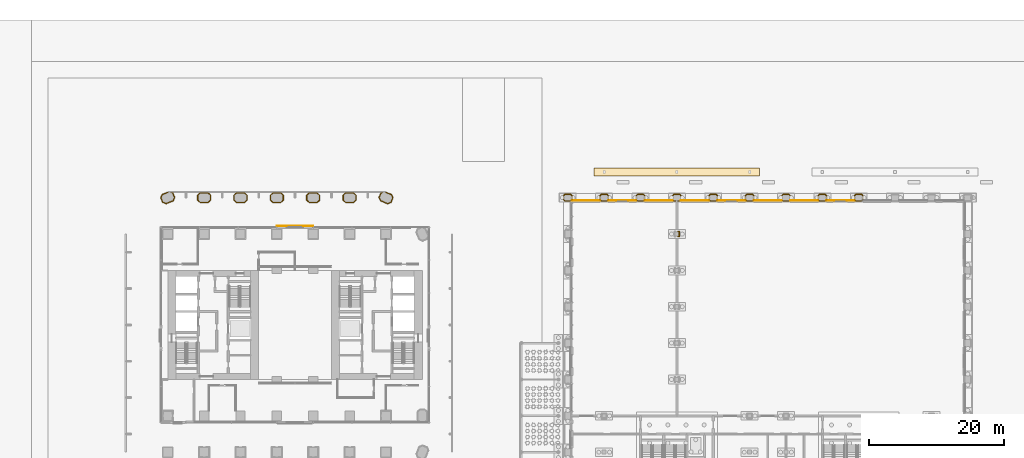
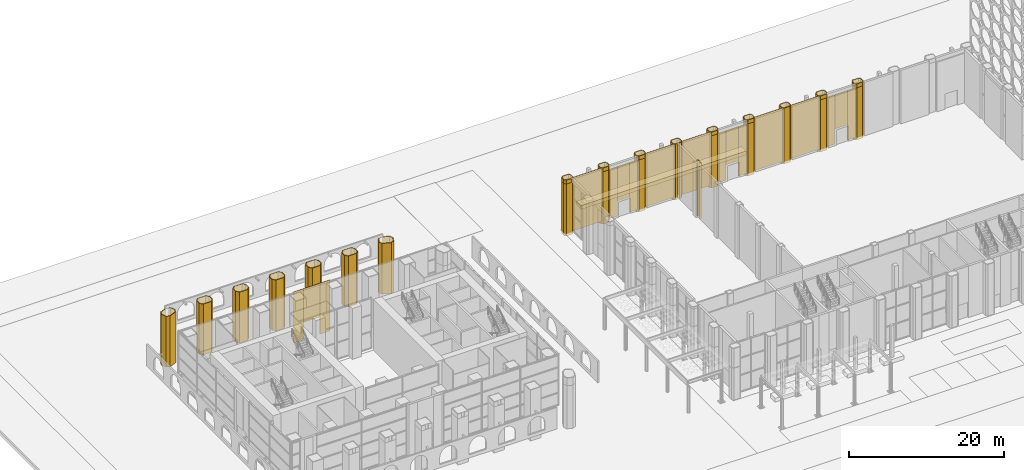
# One storey, part 50 of 54: 42 coverings.
"""IFC4 building model written with IfcOpenShell, lengths in metres."""

from ifc_helpers import new_model, si_unit, direction, frame, frame_2d, origin, origin_2d, place, context, subcontext, project, spatial, polyline, rectangle, outline, extrude, material, layer, layer_set, type_object, element, save


model = new_model("IFC4")

# Units and contexts
model_context = context("Model", 3, precision=1e-05, world=origin(), true_north=direction((0.0, 1.0)))
body_context = subcontext(model_context, "Body", "Model", "MODEL_VIEW")
ifc_project = project(units=[si_unit("LENGTHUNIT", "METRE"), si_unit("AREAUNIT", "SQUARE_METRE"), si_unit("VOLUMEUNIT", "CUBIC_METRE"), si_unit("PLANEANGLEUNIT", "RADIAN"), si_unit("MASSUNIT", "GRAM", prefix="KILO")], contexts=[model_context])

# Site, building, storey
site_placement = place(None, origin())
site = spatial("IfcSite", under=ifc_project, at=site_placement, CompositionType="ELEMENT")
building_placement = place(site_placement, origin())
building = spatial("IfcBuilding", under=site, at=building_placement, Name="Tabaq Tower and Sports Hall", CompositionType="ELEMENT")
storey_placement = place(building_placement, origin())
storey = spatial("IfcBuildingStorey", under=building, at=storey_placement, Name="L00", CompositionType="ELEMENT", Elevation=0.0)

# Coverings
ifc_material_1 = material(Name="Precast concrete C60/75", Category="concrete")
ifc_layer_1 = layer(ifc_material_1, 0.10009765625)
ifc_layer_set_1 = layer_set([ifc_layer_1], Name="Column cladding 100")
covering_type_1 = type_object("IfcCoveringType", Name="Column cladding 100", PredefinedType="CLADDING", material=ifc_layer_set_1)
covering_1_placement = place(storey_placement, frame((0.0, 0.0, -0.39990234375)))
element("IfcCovering", 1, at=covering_1_placement, inside=storey, type_object=covering_type_1, Name="Column cladding L00 HC-13I", PredefinedType="CLADDING", context=body_context, shape_type="SweptSolid", body=[
    extrude(outline(polyline([(64.100341796875, 42.90869140625), (64.100341796875, 43.4912109375), (64.358642578125, 43.749755859375), (65.2412109375, 43.749755859375), (65.499755859375, 43.4912109375), (65.499755859375, 42.90869140625), (65.2412109375, 42.650390625), (64.358642578125, 42.650390625), (64.100341796875, 42.90869140625)]), holes=[polyline([(65.2001953125, 42.749755859375), (65.400390625, 42.949951171875), (65.400390625, 43.4501953125), (65.2001953125, 43.650390625), (64.39990234375, 43.650390625), (64.19970703125, 43.4501953125), (64.19970703125, 42.949951171875), (64.39990234375, 42.749755859375), (65.2001953125, 42.749755859375)])]), origin(), (0.0, 0.0, 1.0), 8.199951171875),
])
covering_2_placement = place(storey_placement, frame((0.0, 0.0, 7.800048828125)))
element("IfcCovering", 2, at=covering_2_placement, inside=storey, type_object=covering_type_1, Name="Column cladding L00 HC-13I head", PredefinedType="CLADDING", context=body_context, shape_type="SweptSolid", body=[
    extrude(outline(polyline([(64.100341796875, 43.4912109375), (64.358642578125, 43.749755859375), (65.2412109375, 43.749755859375), (65.499755859375, 43.4912109375), (65.499755859375, 42.90869140625), (65.391357421875, 42.80029296875), (65.250732421875, 42.80029296875), (65.400390625, 42.949951171875), (65.400390625, 43.4501953125), (65.2001953125, 43.650390625), (64.39990234375, 43.650390625), (64.19970703125, 43.4501953125), (64.19970703125, 42.949951171875), (64.39990234375, 42.749755859375), (65.099609375, 42.749755859375), (65.099609375, 42.650390625), (64.358642578125, 42.650390625), (64.100341796875, 42.90869140625), (64.100341796875, 43.4912109375)])), origin(), (0.0, 0.0, 1.0), 0.599853515625),
])
covering_3_placement = place(storey_placement, frame((0.0, 0.0, -0.39990234375)))
element("IfcCovering", 3, at=covering_3_placement, inside=storey, type_object=covering_type_1, Name="Column cladding L00 HC-14I", PredefinedType="CLADDING", context=body_context, shape_type="SweptSolid", body=[
    extrude(outline(polyline([(69.500244140625, 42.90869140625), (69.500244140625, 43.4912109375), (69.7587890625, 43.749755859375), (70.641357421875, 43.749755859375), (70.899658203125, 43.4912109375), (70.899658203125, 42.90869140625), (70.641357421875, 42.650390625), (69.7587890625, 42.650390625), (69.500244140625, 42.90869140625)]), holes=[polyline([(70.60009765625, 42.749755859375), (70.80029296875, 42.949951171875), (70.80029296875, 43.4501953125), (70.60009765625, 43.650390625), (69.7998046875, 43.650390625), (69.599609375, 43.4501953125), (69.599609375, 42.949951171875), (69.7998046875, 42.749755859375), (70.60009765625, 42.749755859375)])]), origin(), (0.0, 0.0, 1.0), 8.199951171875),
])
covering_4_placement = place(storey_placement, frame((0.0, 0.0, 7.800048828125)))
element("IfcCovering", 4, at=covering_4_placement, inside=storey, type_object=covering_type_1, Name="Column cladding L00 HC-14I head", PredefinedType="CLADDING", context=body_context, shape_type="SweptSolid", body=[
    extrude(outline(polyline([(69.500244140625, 43.4912109375), (69.7587890625, 43.749755859375), (70.641357421875, 43.749755859375), (70.899658203125, 43.4912109375), (70.899658203125, 42.90869140625), (70.891357421875, 42.900390625), (70.750732421875, 42.900390625), (70.80029296875, 42.949951171875), (70.80029296875, 43.4501953125), (70.60009765625, 43.650390625), (69.7998046875, 43.650390625), (69.599609375, 43.4501953125), (69.599609375, 42.949951171875), (69.7998046875, 42.749755859375), (70.60009765625, 42.749755859375), (70.749755859375, 42.899169921875), (70.749755859375, 42.7587890625), (70.641357421875, 42.650390625), (69.7587890625, 42.650390625), (69.500244140625, 42.90869140625), (69.500244140625, 43.4912109375)])), origin(), (0.0, 0.0, 1.0), 0.599853515625),
])
covering_5_placement = place(storey_placement, frame((0.0, 0.0, -0.39990234375)))
element("IfcCovering", 5, at=covering_5_placement, inside=storey, type_object=covering_type_1, Name="Column cladding L00 HC-15I", PredefinedType="CLADDING", context=body_context, shape_type="SweptSolid", body=[
    extrude(outline(polyline([(74.900390625, 42.90869140625), (74.900390625, 43.4912109375), (75.15869140625, 43.749755859375), (76.041259765625, 43.749755859375), (76.2998046875, 43.4912109375), (76.2998046875, 42.90869140625), (76.041259765625, 42.650390625), (75.15869140625, 42.650390625), (74.900390625, 42.90869140625)]), holes=[polyline([(76.000244140625, 42.749755859375), (76.2001953125, 42.949951171875), (76.2001953125, 43.4501953125), (76.000244140625, 43.650390625), (75.199951171875, 43.650390625), (74.999755859375, 43.4501953125), (74.999755859375, 42.949951171875), (75.199951171875, 42.749755859375), (76.000244140625, 42.749755859375)])]), origin(), (0.0, 0.0, 1.0), 8.199951171875),
])
covering_6_placement = place(storey_placement, frame((0.0, 0.0, 7.800048828125)))
element("IfcCovering", 6, at=covering_6_placement, inside=storey, type_object=covering_type_1, Name="Column cladding L00 HC-15I head", PredefinedType="CLADDING", context=body_context, shape_type="SweptSolid", body=[
    extrude(outline(polyline([(74.900390625, 43.4912109375), (75.15869140625, 43.749755859375), (76.041259765625, 43.749755859375), (76.2998046875, 43.4912109375), (76.2998046875, 42.90869140625), (76.041259765625, 42.650390625), (75.15869140625, 42.650390625), (75.05029296875, 42.7587890625), (75.05029296875, 42.899169921875), (75.199951171875, 42.749755859375), (76.000244140625, 42.749755859375), (76.2001953125, 42.949951171875), (76.2001953125, 43.4501953125), (76.000244140625, 43.650390625), (75.199951171875, 43.650390625), (74.999755859375, 43.4501953125), (74.999755859375, 42.949951171875), (75.04931640625, 42.900390625), (74.90869140625, 42.900390625), (74.900390625, 42.90869140625), (74.900390625, 43.4912109375)])), origin(), (0.0, 0.0, 1.0), 0.599853515625),
])
covering_7_placement = place(storey_placement, frame((0.0, 0.0, -0.39990234375)))
element("IfcCovering", 7, at=covering_7_placement, inside=storey, type_object=covering_type_1, Name="Column cladding L00 HC-16H 2", PredefinedType="CLADDING", context=body_context, shape_type="SweptSolid", body=[
    extrude(outline(polyline([(81.399658203125, 38.19970703125), (81.399658203125, 37.400390625), (81.150390625, 37.400390625), (81.150390625, 37.499755859375), (81.30029296875, 37.499755859375), (81.30029296875, 38.100341796875), (81.150390625, 38.100341796875), (81.150390625, 38.19970703125), (81.399658203125, 38.19970703125)])), origin(), (0.0, 0.0, 1.0), 8.7998046875),
])
covering_8_placement = place(storey_placement, frame((0.0, 0.0, -0.39990234375)))
element("IfcCovering", 8, at=covering_8_placement, inside=storey, type_object=covering_type_1, Name="Column cladding L00 HC-16I", PredefinedType="CLADDING", context=body_context, shape_type="SweptSolid", body=[
    extrude(outline(polyline([(80.30029296875, 43.4912109375), (80.55859375, 43.749755859375), (81.44140625, 43.749755859375), (81.69970703125, 43.4912109375), (81.69970703125, 42.90869140625), (81.44140625, 42.650390625), (81.150390625, 42.650390625), (81.150390625, 42.749755859375), (81.400146484375, 42.749755859375), (81.600341796875, 42.949951171875), (81.600341796875, 43.4501953125), (81.400146484375, 43.650390625), (80.599853515625, 43.650390625), (80.399658203125, 43.4501953125), (80.399658203125, 42.949951171875), (80.599853515625, 42.749755859375), (80.849609375, 42.749755859375), (80.849609375, 42.650390625), (80.55859375, 42.650390625), (80.30029296875, 42.90869140625), (80.30029296875, 43.4912109375)])), origin(), (0.0, 0.0, 1.0), 8.7998046875),
])
covering_9_placement = place(storey_placement, frame((0.0, 0.0, -0.39990234375)))
element("IfcCovering", 9, at=covering_9_placement, inside=storey, type_object=covering_type_1, Name="Column cladding L00 HC-17I", PredefinedType="CLADDING", context=body_context, shape_type="SweptSolid", body=[
    extrude(outline(polyline([(85.7001953125, 42.90869140625), (85.7001953125, 43.4912109375), (85.958740234375, 43.749755859375), (86.84130859375, 43.749755859375), (87.099609375, 43.4912109375), (87.099609375, 42.90869140625), (86.84130859375, 42.650390625), (85.958740234375, 42.650390625), (85.7001953125, 42.90869140625)]), holes=[polyline([(86.800048828125, 42.749755859375), (87.000244140625, 42.949951171875), (87.000244140625, 43.4501953125), (86.800048828125, 43.650390625), (85.999755859375, 43.650390625), (85.7998046875, 43.4501953125), (85.7998046875, 42.949951171875), (85.999755859375, 42.749755859375), (86.800048828125, 42.749755859375)])]), origin(), (0.0, 0.0, 1.0), 8.199951171875),
])
covering_10_placement = place(storey_placement, frame((0.0, 0.0, 7.800048828125)))
element("IfcCovering", 10, at=covering_10_placement, inside=storey, type_object=covering_type_1, Name="Column cladding L00 HC-17I head", PredefinedType="CLADDING", context=body_context, shape_type="SweptSolid", body=[
    extrude(outline(polyline([(85.7001953125, 43.4912109375), (85.958740234375, 43.749755859375), (86.84130859375, 43.749755859375), (87.099609375, 43.4912109375), (87.099609375, 42.90869140625), (87.09130859375, 42.900390625), (86.95068359375, 42.900390625), (87.000244140625, 42.949951171875), (87.000244140625, 43.4501953125), (86.800048828125, 43.650390625), (85.999755859375, 43.650390625), (85.7998046875, 43.4501953125), (85.7998046875, 42.949951171875), (85.999755859375, 42.749755859375), (86.800048828125, 42.749755859375), (86.94970703125, 42.899169921875), (86.94970703125, 42.7587890625), (86.84130859375, 42.650390625), (85.958740234375, 42.650390625), (85.7001953125, 42.90869140625), (85.7001953125, 43.4912109375)])), origin(), (0.0, 0.0, 1.0), 0.599853515625),
])
covering_11_placement = place(storey_placement, frame((0.0, 0.0, -0.39990234375)))
element("IfcCovering", 11, at=covering_11_placement, inside=storey, type_object=covering_type_1, Name="Column cladding L00 HC-18I", PredefinedType="CLADDING", context=body_context, shape_type="SweptSolid", body=[
    extrude(outline(polyline([(91.100341796875, 42.90869140625), (91.100341796875, 43.4912109375), (91.358642578125, 43.749755859375), (92.2412109375, 43.749755859375), (92.499755859375, 43.4912109375), (92.499755859375, 42.90869140625), (92.2412109375, 42.650390625), (91.358642578125, 42.650390625), (91.100341796875, 42.90869140625)]), holes=[polyline([(92.2001953125, 42.749755859375), (92.400390625, 42.949951171875), (92.400390625, 43.4501953125), (92.2001953125, 43.650390625), (91.39990234375, 43.650390625), (91.19970703125, 43.4501953125), (91.19970703125, 42.949951171875), (91.39990234375, 42.749755859375), (92.2001953125, 42.749755859375)])]), origin(), (0.0, 0.0, 1.0), 8.199951171875),
])
covering_12_placement = place(storey_placement, frame((0.0, 0.0, 7.800048828125)))
element("IfcCovering", 12, at=covering_12_placement, inside=storey, type_object=covering_type_1, Name="Column cladding L00 HC-18I head", PredefinedType="CLADDING", context=body_context, shape_type="SweptSolid", body=[
    extrude(outline(polyline([(91.100341796875, 43.4912109375), (91.358642578125, 43.749755859375), (92.2412109375, 43.749755859375), (92.499755859375, 43.4912109375), (92.499755859375, 42.90869140625), (92.2412109375, 42.650390625), (91.358642578125, 42.650390625), (91.250244140625, 42.7587890625), (91.250244140625, 42.899169921875), (91.39990234375, 42.749755859375), (92.2001953125, 42.749755859375), (92.400390625, 42.949951171875), (92.400390625, 43.4501953125), (92.2001953125, 43.650390625), (91.39990234375, 43.650390625), (91.19970703125, 43.4501953125), (91.19970703125, 42.949951171875), (91.249267578125, 42.900390625), (91.108642578125, 42.900390625), (91.100341796875, 42.90869140625), (91.100341796875, 43.4912109375)])), origin(), (0.0, 0.0, 1.0), 0.599853515625),
])
covering_13_placement = place(storey_placement, frame((0.0, 0.0, -0.39990234375)))
element("IfcCovering", 13, at=covering_13_placement, inside=storey, type_object=covering_type_1, Name="Column cladding L00 HC-19I", PredefinedType="CLADDING", context=body_context, shape_type="SweptSolid", body=[
    extrude(outline(polyline([(96.500244140625, 42.90869140625), (96.500244140625, 43.4912109375), (96.7587890625, 43.749755859375), (97.641357421875, 43.749755859375), (97.899658203125, 43.4912109375), (97.899658203125, 42.90869140625), (97.641357421875, 42.650390625), (96.7587890625, 42.650390625), (96.500244140625, 42.90869140625)]), holes=[polyline([(97.60009765625, 42.749755859375), (97.80029296875, 42.949951171875), (97.80029296875, 43.4501953125), (97.60009765625, 43.650390625), (96.7998046875, 43.650390625), (96.599609375, 43.4501953125), (96.599609375, 42.949951171875), (96.7998046875, 42.749755859375), (97.60009765625, 42.749755859375)])]), origin(), (0.0, 0.0, 1.0), 8.7998046875),
])
covering_14_placement = place(storey_placement, frame((0.0, 0.0, -0.39990234375)))
element("IfcCovering", 14, at=covering_14_placement, inside=storey, type_object=covering_type_1, Name="Column cladding L00 HC-20I", PredefinedType="CLADDING", context=body_context, shape_type="SweptSolid", body=[
    extrude(outline(polyline([(101.900390625, 42.90869140625), (101.900390625, 43.4912109375), (102.15869140625, 43.749755859375), (103.041259765625, 43.749755859375), (103.2998046875, 43.4912109375), (103.2998046875, 42.90869140625), (103.041259765625, 42.650390625), (102.15869140625, 42.650390625), (101.900390625, 42.90869140625)]), holes=[polyline([(103.000244140625, 42.749755859375), (103.2001953125, 42.949951171875), (103.2001953125, 43.4501953125), (103.000244140625, 43.650390625), (102.199951171875, 43.650390625), (101.999755859375, 43.4501953125), (101.999755859375, 42.949951171875), (102.199951171875, 42.749755859375), (103.000244140625, 42.749755859375)])]), origin(), (0.0, 0.0, 1.0), 8.199951171875),
])
covering_15_placement = place(storey_placement, frame((0.0, 0.0, 7.800048828125)))
element("IfcCovering", 15, at=covering_15_placement, inside=storey, type_object=covering_type_1, Name="Column cladding L00 HC-20I head", PredefinedType="CLADDING", context=body_context, shape_type="SweptSolid", body=[
    extrude(outline(polyline([(101.900390625, 43.4912109375), (102.15869140625, 43.749755859375), (103.041259765625, 43.749755859375), (103.2998046875, 43.4912109375), (103.2998046875, 42.90869140625), (103.291259765625, 42.900390625), (103.150634765625, 42.900390625), (103.2001953125, 42.949951171875), (103.2001953125, 43.4501953125), (103.000244140625, 43.650390625), (102.199951171875, 43.650390625), (101.999755859375, 43.4501953125), (101.999755859375, 42.949951171875), (102.199951171875, 42.749755859375), (103.000244140625, 42.749755859375), (103.149658203125, 42.899169921875), (103.149658203125, 42.7587890625), (103.041259765625, 42.650390625), (102.15869140625, 42.650390625), (101.900390625, 42.90869140625), (101.900390625, 43.4912109375)])), origin(), (0.0, 0.0, 1.0), 0.599853515625),
])
covering_16_placement = place(storey_placement, frame((0.0, 0.0, -0.39990234375)))
element("IfcCovering", 16, at=covering_16_placement, inside=storey, type_object=covering_type_1, Name="Column cladding L00 HC-21I", PredefinedType="CLADDING", context=body_context, shape_type="SweptSolid", body=[
    extrude(outline(polyline([(107.30029296875, 42.90869140625), (107.30029296875, 43.4912109375), (107.55859375, 43.749755859375), (108.44140625, 43.749755859375), (108.69970703125, 43.4912109375), (108.69970703125, 42.90869140625), (108.44140625, 42.650390625), (107.55859375, 42.650390625), (107.30029296875, 42.90869140625)]), holes=[polyline([(108.400146484375, 42.749755859375), (108.600341796875, 42.949951171875), (108.600341796875, 43.4501953125), (108.400146484375, 43.650390625), (107.599853515625, 43.650390625), (107.399658203125, 43.4501953125), (107.399658203125, 42.949951171875), (107.599853515625, 42.749755859375), (108.400146484375, 42.749755859375)])]), origin(), (0.0, 0.0, 1.0), 8.199951171875),
])
covering_17_placement = place(storey_placement, frame((0.0, 0.0, 7.800048828125)))
element("IfcCovering", 17, at=covering_17_placement, inside=storey, type_object=covering_type_1, Name="Column cladding L00 HC-21I head", PredefinedType="CLADDING", context=body_context, shape_type="SweptSolid", body=[
    extrude(outline(polyline([(107.30029296875, 43.4912109375), (107.55859375, 43.749755859375), (108.44140625, 43.749755859375), (108.69970703125, 43.4912109375), (108.69970703125, 42.90869140625), (108.44140625, 42.650390625), (107.55859375, 42.650390625), (107.4501953125, 42.7587890625), (107.4501953125, 42.899169921875), (107.599853515625, 42.749755859375), (108.400146484375, 42.749755859375), (108.600341796875, 42.949951171875), (108.600341796875, 43.4501953125), (108.400146484375, 43.650390625), (107.599853515625, 43.650390625), (107.399658203125, 43.4501953125), (107.399658203125, 42.949951171875), (107.44921875, 42.900390625), (107.30859375, 42.900390625), (107.30029296875, 42.90869140625), (107.30029296875, 43.4912109375)])), origin(), (0.0, 0.0, 1.0), 0.599853515625),
])
covering_18_placement = place(storey_placement, origin())
element("IfcCovering", 18, at=covering_18_placement, inside=storey, type_object=covering_type_1, Name="Column cladding L00 PC-2I-G", PredefinedType="CLADDING", context=body_context, shape_type="SweptSolid", body=[
    extrude(outline(polyline([(4.33154296875, 43.16748046875), (4.545654296875, 43.6845703125), (5.399658203125, 44.038330078125), (5.399658203125, 43.94970703125), (5.4453125, 43.94970703125), (4.621826171875, 43.608642578125), (4.43896484375, 43.16748046875), (4.697509765625, 42.54345703125), (5.138671875, 42.36083984375), (6.17822265625, 42.79150390625), (6.361083984375, 43.232666015625), (6.1025390625, 43.8564453125), (5.87744140625, 43.94970703125), (6.13720703125, 43.94970703125), (6.1787109375, 43.9326171875), (6.468505859375, 43.232666015625), (6.25439453125, 42.71533203125), (5.138671875, 42.253173828125), (4.621337890625, 42.467529296875), (4.33154296875, 43.16748046875)])), origin(), (0.0, 0.0, 1.0), 8.0),
])
covering_19_placement = place(storey_placement, origin())
element("IfcCovering", 19, at=covering_19_placement, inside=storey, type_object=covering_type_1, Name="Column cladding L00 PC-3I-G", PredefinedType="CLADDING", context=body_context, shape_type="SweptSolid", body=[
    extrude(outline(polyline([(9.80029296875, 43.578857421875), (10.171142578125, 43.94970703125), (11.4287109375, 43.94970703125), (11.7998046875, 43.578857421875), (11.7998046875, 42.8212890625), (11.40380859375, 42.42529296875), (10.1962890625, 42.42529296875), (9.80029296875, 42.8212890625), (9.80029296875, 43.578857421875)]), holes=[polyline([(11.7001953125, 42.8623046875), (11.7001953125, 43.53759765625), (11.362548828125, 43.875244140625), (10.2373046875, 43.875244140625), (9.899658203125, 43.53759765625), (9.899658203125, 42.8623046875), (10.2373046875, 42.524658203125), (11.362548828125, 42.524658203125), (11.7001953125, 42.8623046875)])]), origin(), (0.0, 0.0, 1.0), 8.0),
])
covering_20_placement = place(storey_placement, origin())
element("IfcCovering", 20, at=covering_20_placement, inside=storey, type_object=covering_type_1, Name="Column cladding L00 PC-4I-G", PredefinedType="CLADDING", context=body_context, shape_type="SweptSolid", body=[
    extrude(outline(polyline([(15.2001953125, 43.578857421875), (15.5712890625, 43.94970703125), (16.828857421875, 43.94970703125), (17.19970703125, 43.578857421875), (17.19970703125, 42.8212890625), (16.8037109375, 42.42529296875), (15.59619140625, 42.42529296875), (15.2001953125, 42.8212890625), (15.2001953125, 43.578857421875)]), holes=[polyline([(17.100341796875, 42.8623046875), (17.100341796875, 43.53759765625), (16.7626953125, 43.875244140625), (15.637451171875, 43.875244140625), (15.2998046875, 43.53759765625), (15.2998046875, 42.8623046875), (15.637451171875, 42.524658203125), (16.7626953125, 42.524658203125), (17.100341796875, 42.8623046875)])]), origin(), (0.0, 0.0, 1.0), 8.0),
])
covering_21_placement = place(storey_placement, origin())
element("IfcCovering", 21, at=covering_21_placement, inside=storey, type_object=covering_type_1, Name="Column cladding L00 PC-5I-G", PredefinedType="CLADDING", context=body_context, shape_type="SweptSolid", body=[
    extrude(outline(polyline([(20.600341796875, 43.578857421875), (20.97119140625, 43.94970703125), (22.228759765625, 43.94970703125), (22.599609375, 43.578857421875), (22.599609375, 42.8212890625), (22.203857421875, 42.42529296875), (20.99609375, 42.42529296875), (20.600341796875, 42.8212890625), (20.600341796875, 43.578857421875)]), holes=[polyline([(22.500244140625, 42.8623046875), (22.500244140625, 43.53759765625), (22.16259765625, 43.875244140625), (21.037353515625, 43.875244140625), (20.69970703125, 43.53759765625), (20.69970703125, 42.8623046875), (21.037353515625, 42.524658203125), (22.16259765625, 42.524658203125), (22.500244140625, 42.8623046875)])]), origin(), (0.0, 0.0, 1.0), 8.0),
])
covering_22_placement = place(storey_placement, origin())
element("IfcCovering", 22, at=covering_22_placement, inside=storey, type_object=covering_type_1, Name="Column cladding L00 PC-6I-G", PredefinedType="CLADDING", context=body_context, shape_type="SweptSolid", body=[
    extrude(outline(polyline([(26.000244140625, 43.578857421875), (26.37109375, 43.94970703125), (27.62890625, 43.94970703125), (27.999755859375, 43.578857421875), (27.999755859375, 42.8212890625), (27.603759765625, 42.42529296875), (26.396240234375, 42.42529296875), (26.000244140625, 42.8212890625), (26.000244140625, 43.578857421875)]), holes=[polyline([(27.900390625, 42.8623046875), (27.900390625, 43.53759765625), (27.562744140625, 43.875244140625), (26.437255859375, 43.875244140625), (26.099609375, 43.53759765625), (26.099609375, 42.8623046875), (26.437255859375, 42.524658203125), (27.562744140625, 42.524658203125), (27.900390625, 42.8623046875)])]), origin(), (0.0, 0.0, 1.0), 8.0),
])
covering_23_placement = place(storey_placement, origin())
element("IfcCovering", 23, at=covering_23_placement, inside=storey, type_object=covering_type_1, Name="Column cladding L00 PC-7I-G", PredefinedType="CLADDING", context=body_context, shape_type="SweptSolid", body=[
    extrude(outline(polyline([(31.400390625, 43.578857421875), (31.771240234375, 43.94970703125), (33.02880859375, 43.94970703125), (33.399658203125, 43.578857421875), (33.399658203125, 42.8212890625), (33.00390625, 42.42529296875), (31.796142578125, 42.42529296875), (31.400390625, 42.8212890625), (31.400390625, 43.578857421875)]), holes=[polyline([(33.30029296875, 42.8623046875), (33.30029296875, 43.53759765625), (32.962646484375, 43.875244140625), (31.83740234375, 43.875244140625), (31.499755859375, 43.53759765625), (31.499755859375, 42.8623046875), (31.83740234375, 42.524658203125), (32.962646484375, 42.524658203125), (33.30029296875, 42.8623046875)])]), origin(), (0.0, 0.0, 1.0), 8.0),
])
covering_24_placement = place(storey_placement, origin())
element("IfcCovering", 24, at=covering_24_placement, inside=storey, type_object=covering_type_1, Name="Column cladding L00 PC-8I-G", PredefinedType="CLADDING", context=body_context, shape_type="SweptSolid", body=[
    extrude(outline(polyline([(38.57861328125, 42.467529296875), (38.061279296875, 42.253173828125), (36.94580078125, 42.71533203125), (36.7314453125, 43.232666015625), (37.021240234375, 43.9326171875), (37.062744140625, 43.94970703125), (37.322509765625, 43.94970703125), (37.097412109375, 43.8564453125), (36.839111328125, 43.232666015625), (37.021728515625, 42.79150390625), (38.061279296875, 42.36083984375), (38.502685546875, 42.54345703125), (38.760986328125, 43.16748046875), (38.578125, 43.608642578125), (37.754638671875, 43.94970703125), (37.80029296875, 43.94970703125), (37.80029296875, 44.038330078125), (38.654296875, 43.6845703125), (38.86865234375, 43.16748046875), (38.57861328125, 42.467529296875)])), origin(), (0.0, 0.0, 1.0), 8.0),
])
ifc_material_2 = material(Name="Precast concrete C35/45 planting bed with planting soil", Category="concrete")
covering_type_2 = type_object("IfcCoveringType", Name="PLAZA PLANTING BED 1200x600", PredefinedType="USERDEFINED", material=ifc_material_2)
covering_25_placement = place(storey_placement, frame((81.0, 47.0, 0.0), z_axis=(0.0, 0.0, 1.0), x_axis=(1.0, 0.0, 0.0)))
element("IfcCovering", 25, at=covering_25_placement, inside=storey, type_object=covering_type_2, Name="Planting bed C1", ObjectType="PLANTER", PredefinedType="USERDEFINED", context=body_context, shape_type="SweptSolid", body=[
    extrude(rectangle(XDim=24.60009765625, YDim=1.199951171875, at=origin_2d()), origin(), (0.0, 0.0, 1.0), 0.60009765625),
])
ifc_material_3 = material(Name="Precast concrete C60/75", Category="concrete")
ifc_layer_2 = layer(ifc_material_3, 0.06005859375)
ifc_layer_set_2 = layer_set([ifc_layer_2], Name="White precast cladding panel 60 C60/75")
covering_type_3 = type_object("IfcCoveringType", Name="White precast cladding panel 60 C60/75", PredefinedType="CLADDING", material=ifc_layer_set_2)
covering_26_placement = place(storey_placement, frame((21.60009765625, 38.97998046875, 0.0), z_axis=(0.0, 0.0, 1.0), x_axis=(1.0, 0.0, 0.0)))
element("IfcCovering", 26, at=covering_26_placement, inside=storey, type_object=covering_type_3, Name="White precast cladding panel L00 ringN1", PredefinedType="CLADDING", context=body_context, shape_type="SweptSolid", body=[
    extrude(rectangle(XDim=1.489990234375, YDim=0.06005859375, at=frame_2d((0.7451171875, 0.0))), origin(), (0.0, 0.0, 1.0), 8.0),
])
covering_27_placement = place(storey_placement, frame((23.090087890625, 38.97998046875, 2.7099609375), z_axis=(0.0, 0.0, 1.0), x_axis=(1.0, 0.0, 0.0)))
element("IfcCovering", 27, at=covering_27_placement, inside=storey, type_object=covering_type_3, Name="White precast cladding panel L00 ringN1 2", PredefinedType="CLADDING", context=body_context, shape_type="SweptSolid", body=[
    extrude(rectangle(XDim=2.419921875, YDim=0.06005859375, at=frame_2d((1.2099609375, 0.0))), origin(), (0.0, 0.0, 1.0), 5.2900390625),
])
covering_28_placement = place(storey_placement, frame((25.510009765625, 38.97998046875, 0.0), z_axis=(0.0, 0.0, 1.0), x_axis=(1.0, 0.0, 0.0)))
element("IfcCovering", 28, at=covering_28_placement, inside=storey, type_object=covering_type_3, Name="White precast cladding panel L00 ringN1 3", PredefinedType="CLADDING", context=body_context, shape_type="SweptSolid", body=[
    extrude(rectangle(XDim=1.489990234375, YDim=0.06005859375, at=frame_2d((0.7451171875, 0.0))), origin(), (0.0, 0.0, 1.0), 8.0),
])
covering_29_placement = place(storey_placement, frame((65.39990234375, 42.780029296875, 0.0), z_axis=(0.0, 0.0, 1.0), x_axis=(1.0, 0.0, 0.0)))
element("IfcCovering", 29, at=covering_29_placement, inside=storey, type_object=covering_type_3, Name="White precast cladding panel L00 L00", PredefinedType="CLADDING", context=body_context, shape_type="SweptSolid", body=[
    extrude(rectangle(XDim=4.2001953125, YDim=0.06005859375, at=frame_2d((2.10009765625, 0.0))), origin(), (0.0, 0.0, 1.0), 8.39990234375),
])
covering_30_placement = place(storey_placement, frame((70.800048828125, 42.780029296875, 0.0), z_axis=(0.0, 0.0, 1.0), x_axis=(1.0, 0.0, 0.0)))
element("IfcCovering", 30, at=covering_30_placement, inside=storey, type_object=covering_type_3, Name="White precast cladding panel L00 L00", PredefinedType="CLADDING", context=body_context, shape_type="SweptSolid", body=[
    extrude(rectangle(XDim=1.18994140625, YDim=0.06005859375, at=frame_2d((0.594970703125, 0.0))), origin(), (0.0, 0.0, 1.0), 7.800048828125),
])
covering_31_placement = place(storey_placement, frame((71.989990234375, 42.780029296875, 2.409912109375), z_axis=(0.0, 0.0, 1.0), x_axis=(1.0, 0.0, 0.0)))
element("IfcCovering", 31, at=covering_31_placement, inside=storey, type_object=covering_type_3, Name="White precast cladding panel L00 L00 2", PredefinedType="CLADDING", context=body_context, shape_type="SweptSolid", body=[
    extrude(rectangle(XDim=1.820068359375, YDim=0.06005859375, at=frame_2d((0.91015625, 0.0))), origin(), (0.0, 0.0, 1.0), 5.39013671875),
])
covering_32_placement = place(storey_placement, frame((73.81005859375, 42.780029296875, 0.0), z_axis=(0.0, 0.0, 1.0), x_axis=(1.0, 0.0, 0.0)))
element("IfcCovering", 32, at=covering_32_placement, inside=storey, type_object=covering_type_3, Name="White precast cladding panel L00 L00 3", PredefinedType="CLADDING", context=body_context, shape_type="SweptSolid", body=[
    extrude(rectangle(XDim=1.18994140625, YDim=0.06005859375, at=frame_2d((0.594970703125, 0.0))), origin(), (0.0, 0.0, 1.0), 7.800048828125),
])
for number, where, z_axis, x_axis, name in (
    (33, (76.199951171875, 42.780029296875, 0.0), (0.0, 0.0, 1.0), (1.0, 0.0, 0.0), "White precast cladding panel L00 L00"),
    (34, (81.60009765625, 42.780029296875, 0.0), (0.0, 0.0, 1.0), (1.0, 0.0, 0.0), "White precast cladding panel L00 L00"),
):
    element("IfcCovering", number, at=place(storey_placement, frame(where, z_axis=z_axis, x_axis=x_axis)), inside=storey, type_object=covering_type_3, Name=name, PredefinedType="CLADDING", context=body_context, shape_type="SweptSolid", body=[
        extrude(rectangle(XDim=4.199951171875, YDim=0.06005859375, at=frame_2d((2.10009765625, 0.0))), origin(), (0.0, 0.0, 1.0), 8.39990234375),
    ])
covering_33_placement = place(storey_placement, frame((87.0, 42.780029296875, 0.0), z_axis=(0.0, 0.0, 1.0), x_axis=(1.0, 0.0, 0.0)))
element("IfcCovering", 35, at=covering_33_placement, inside=storey, type_object=covering_type_3, Name="White precast cladding panel L00 L00", PredefinedType="CLADDING", context=body_context, shape_type="SweptSolid", body=[
    extrude(rectangle(XDim=1.18994140625, YDim=0.06005859375, at=frame_2d((0.594970703125, 0.0))), origin(), (0.0, 0.0, 1.0), 7.800048828125),
])
covering_34_placement = place(storey_placement, frame((88.18994140625, 42.780029296875, 2.409912109375), z_axis=(0.0, 0.0, 1.0), x_axis=(1.0, 0.0, 0.0)))
element("IfcCovering", 36, at=covering_34_placement, inside=storey, type_object=covering_type_3, Name="White precast cladding panel L00 L00 2", PredefinedType="CLADDING", context=body_context, shape_type="SweptSolid", body=[
    extrude(rectangle(XDim=1.820068359375, YDim=0.06005859375, at=frame_2d((0.91015625, 0.0))), origin(), (0.0, 0.0, 1.0), 5.39013671875),
])
covering_35_placement = place(storey_placement, frame((90.010009765625, 42.780029296875, 0.0), z_axis=(0.0, 0.0, 1.0), x_axis=(1.0, 0.0, 0.0)))
element("IfcCovering", 37, at=covering_35_placement, inside=storey, type_object=covering_type_3, Name="White precast cladding panel L00 L00 3", PredefinedType="CLADDING", context=body_context, shape_type="SweptSolid", body=[
    extrude(rectangle(XDim=1.18994140625, YDim=0.06005859375, at=frame_2d((0.594970703125, 0.0))), origin(), (0.0, 0.0, 1.0), 7.800048828125),
])
covering_36_placement = place(storey_placement, frame((92.39990234375, 42.780029296875, 0.0), z_axis=(0.0, 0.0, 1.0), x_axis=(1.0, 0.0, 0.0)))
element("IfcCovering", 38, at=covering_36_placement, inside=storey, type_object=covering_type_3, Name="White precast cladding panel L00 L00", PredefinedType="CLADDING", context=body_context, shape_type="SweptSolid", body=[
    extrude(rectangle(XDim=4.2001953125, YDim=0.06005859375, at=frame_2d((2.10009765625, 0.0))), origin(), (0.0, 0.0, 1.0), 8.39990234375),
])
covering_37_placement = place(storey_placement, frame((97.800048828125, 42.780029296875, 0.0), z_axis=(0.0, 0.0, 1.0), x_axis=(1.0, 0.0, 0.0)))
element("IfcCovering", 39, at=covering_37_placement, inside=storey, type_object=covering_type_3, Name="White precast cladding panel L00 L00", PredefinedType="CLADDING", context=body_context, shape_type="SweptSolid", body=[
    extrude(rectangle(XDim=4.199951171875, YDim=0.06005859375, at=frame_2d((2.10009765625, 0.0))), origin(), (0.0, 0.0, 1.0), 8.39990234375),
])
covering_38_placement = place(storey_placement, frame((103.199951171875, 42.780029296875, 0.0), z_axis=(0.0, 0.0, 1.0), x_axis=(1.0, 0.0, 0.0)))
element("IfcCovering", 40, at=covering_38_placement, inside=storey, type_object=covering_type_3, Name="White precast cladding panel L00 L00", PredefinedType="CLADDING", context=body_context, shape_type="SweptSolid", body=[
    extrude(rectangle(XDim=1.18994140625, YDim=0.06005859375, at=frame_2d((0.594970703125, 0.0))), origin(), (0.0, 0.0, 1.0), 7.800048828125),
])
covering_39_placement = place(storey_placement, frame((104.389892578125, 42.780029296875, 2.409912109375), z_axis=(0.0, 0.0, 1.0), x_axis=(1.0, 0.0, 0.0)))
element("IfcCovering", 41, at=covering_39_placement, inside=storey, type_object=covering_type_3, Name="White precast cladding panel L00 L00 2", PredefinedType="CLADDING", context=body_context, shape_type="SweptSolid", body=[
    extrude(rectangle(XDim=1.820068359375, YDim=0.06005859375, at=frame_2d((0.91015625, 0.0))), origin(), (0.0, 0.0, 1.0), 5.39013671875),
])
covering_40_placement = place(storey_placement, frame((106.2099609375, 42.780029296875, 0.0), z_axis=(0.0, 0.0, 1.0), x_axis=(1.0, 0.0, 0.0)))
element("IfcCovering", 42, at=covering_40_placement, inside=storey, type_object=covering_type_3, Name="White precast cladding panel L00 L00 3", PredefinedType="CLADDING", context=body_context, shape_type="SweptSolid", body=[
    extrude(rectangle(XDim=1.18994140625, YDim=0.06005859375, at=frame_2d((0.594970703125, 0.0))), origin(), (0.0, 0.0, 1.0), 7.800048828125),
])

save(model, "model.ifc")
